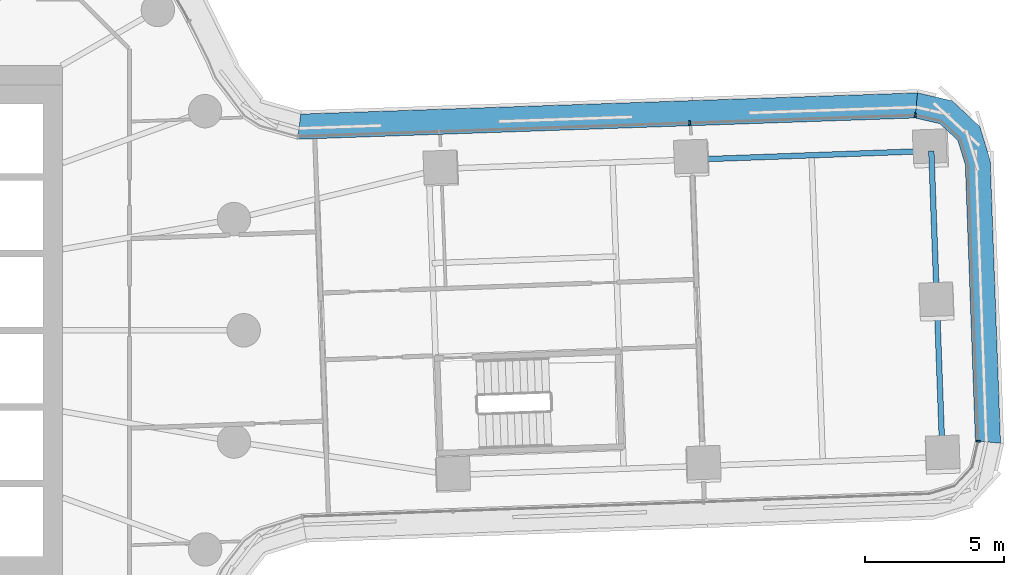
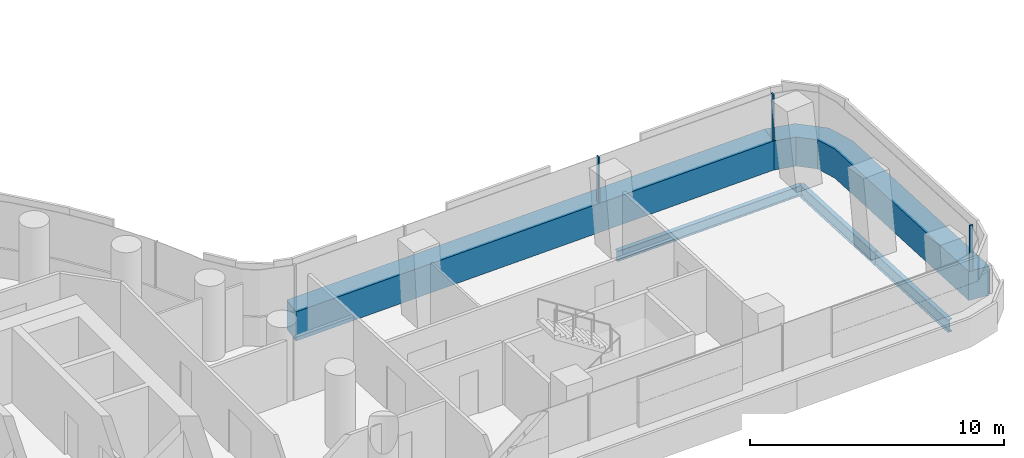
# One storey, part 12 of 31: 5 members, 3 beams, 2 elements without a shape of their own.
"""IFC4 building model written with IfcOpenShell, lengths in metres."""

from ifc_helpers import new_model, si_unit, direction, frame, origin, origin_2d, place, context, subcontext, project, spatial, polyline, rectangle, i_section, outline, extrude, material, layer, layer_set, material_profile, profile_set, type_object, element, aggregate, save


model = new_model("IFC4")

# Units and contexts
model_context = context("Model", 3, precision=1e-05, world=origin(), true_north=direction((0.0, 1.0)))
body_context = subcontext(model_context, "Body", "Model", "MODEL_VIEW")
ifc_project = project(units=[si_unit("LENGTHUNIT", "METRE"), si_unit("AREAUNIT", "SQUARE_METRE"), si_unit("VOLUMEUNIT", "CUBIC_METRE"), si_unit("PLANEANGLEUNIT", "RADIAN"), si_unit("MASSUNIT", "GRAM", prefix="KILO")], contexts=[model_context])

# Site, building, storey
site_placement = place(None, origin())
site = spatial("IfcSite", under=ifc_project, at=site_placement, CompositionType="ELEMENT")
building_placement = place(site_placement, origin())
building = spatial("IfcBuilding", under=site, at=building_placement, Name="Tamarind Cross Interchange Tower", CompositionType="ELEMENT")
storey_placement = place(building_placement, frame((0.0, 0.0, 41.5)))
storey = spatial("IfcBuildingStorey", under=building, at=storey_placement, Name="L08", CompositionType="ELEMENT", Elevation=41.5)

# Beams
ifc_material_1 = material(Name="Steel Q355B", Category="steel")
ifc_material_profile_1 = material_profile(ifc_material_1, i_section(OverallWidth=0.198974609375, OverallDepth=0.49609375, WebThickness=0.009033203125, FlangeThickness=0.013916015625, FilletRadius=0.012939453125, at=origin_2d()), Name="HN 496x199x9x14")
ifc_profile_set_1 = profile_set([ifc_material_profile_1], Name="Steel Q355B")
beam_type_1 = type_object("IfcBeamType", Name="Composite beam HN 496x199x9x14 Q355B", PredefinedType="BEAM", material=ifc_profile_set_1)
beam_placement = place(storey_placement, frame((47.684326171875, 6.440673828125, -0.387939453125), z_axis=(-0.999335782267, -0.036441655858, 0.0), x_axis=(0.036441655858, -0.999335782267, 0.0)))
element("IfcBeam", 1, at=beam_placement, inside=storey, type_object=beam_type_1, Name="Beam E-edgeep2", PredefinedType="BEAM", context=body_context, shape_type="SweptSolid", body=[
    extrude(i_section(OverallWidth=0.198974609375, OverallDepth=0.49609375, WebThickness=0.009033203125, FlangeThickness=0.013916015625, FilletRadius=0.012939453125, at=origin_2d()), origin(), (0.0, 0.0, 1.0), 8.60205078125),
])
ifc_material_profile_2 = material_profile(ifc_material_1, i_section(OverallWidth=0.199951171875, OverallDepth=0.60009765625, WebThickness=0.010986328125, FlangeThickness=0.01708984375, FilletRadius=0.012939453125, at=origin_2d()), Name="HN 600x200x11x17")
ifc_profile_set_2 = profile_set([ifc_material_profile_2], Name="Steel Q355B")
beam_type_2 = type_object("IfcBeamType", Name="Composite beam HN 600x200x11x17 Q355B", PredefinedType="BEAM", material=ifc_profile_set_2)
for number, where, z_axis, x_axis, name in (
    (2, (48.08544921875, -4.552001953125, -0.43994140625), (-0.036443593445, 0.999335711609, 0.0), (-0.999335711609, -0.036443593445, 0.0), "Beam E-tip0"),
    (3, (47.885009765625, 0.9443359375, -0.43994140625), (-0.036487923656, 0.999334093998, 0.0), (-0.999334093998, -0.036487923656, 0.0), "Beam E-tip1"),
):
    element("IfcBeam", number, at=place(storey_placement, frame(where, z_axis=z_axis, x_axis=x_axis)), inside=storey, type_object=beam_type_2, Name=name, PredefinedType="BEAM", context=body_context, shape_type="SweptSolid", body=[
        extrude(i_section(OverallWidth=0.199951171875, OverallDepth=0.60009765625, WebThickness=0.010986328125, FlangeThickness=0.01708984375, FilletRadius=0.012939453125, at=origin_2d()), origin(), (0.0, 0.0, 1.0), 5.5),
    ])

# Curtain wall, member
ifc_material_2 = material(Name="Aluminium 6063-T6", Category="aluminium")
ifc_layer = layer(ifc_material_2, 0.159912109375)
ifc_layer_set = layer_set([ifc_layer], Name="Aluminium 6063-T6")
curtain_wall_type = type_object("IfcCurtainWallType", Name="Office curtain wall, 9.0 m bays", PredefinedType="NOTDEFINED", material=ifc_layer_set)
curtain_wall_1_placement = place(storey_placement, origin())
curtain_wall_1 = element("IfcCurtainWall", 4, at=curtain_wall_1_placement, inside=storey, type_object=curtain_wall_type, Name="CWS-L08-08", PredefinedType="NOTDEFINED")
ifc_material_3 = material(Name="Aluminium and insulated spandrel panel", Category="aluminium")
member_type_1 = type_object("IfcMemberType", Name="Floor-edge blade transom", PredefinedType="USERDEFINED", material=ifc_material_3)
member_1_placement = place(storey_placement, origin())
member_1 = element("IfcMember", 5, at=member_1_placement, type_object=member_type_1, Name="CWT-L08-08", ObjectType="TRANSOM", PredefinedType="USERDEFINED", context=body_context, shape_type="SweptSolid", body=[
    extrude(outline(polyline([(49.264892578125, -3.968994140625), (48.9033203125, 5.9453125), (48.63427734375, 6.8203125), (47.99365234375, 7.415771484375), (47.10107421875, 7.620361328125), (47.187744140625, 8.52392578125), (48.429931640625, 8.2392578125), (49.423583984375, 7.3154296875), (49.79833984375, 6.0966796875), (50.168701171875, -4.0546875), (49.264892578125, -3.968994140625)])), origin(), (0.0, 0.0, 1.0), 1.39990234375),
])

curtain_wall_2_placement = place(storey_placement, origin())
curtain_wall_2 = element("IfcCurtainWall", 6, at=curtain_wall_2_placement, inside=storey, type_object=curtain_wall_type, Name="CWS-L08-09", PredefinedType="NOTDEFINED")
member_2_placement = place(storey_placement, origin())
member_2 = element("IfcMember", 7, at=member_2_placement, type_object=member_type_1, Name="CWT-L08-09", ObjectType="TRANSOM", PredefinedType="USERDEFINED", context=body_context, shape_type="SweptSolid", body=[
    extrude(outline(polyline([(47.10107421875, 7.620361328125), (24.9375, 6.85888671875), (25.045654296875, 7.762939453125), (47.187744140625, 8.52392578125), (47.10107421875, 7.620361328125)])), origin(), (0.0, 0.0, 1.0), 1.39990234375),
])

# Member
ifc_material_profile_3 = material_profile(ifc_material_2, rectangle(XDim=0.06005859375, YDim=0.159912109375, at=origin_2d()), Name="Mullion CW1")
ifc_profile_set_3 = profile_set([ifc_material_profile_3], Name="Aluminium 6063-T6")
member_type_2 = type_object("IfcMemberType", Name="Mullion CW1", PredefinedType="MULLION", material=ifc_profile_set_3)
member_3_placement = place(storey_placement, frame((49.365478515625, -3.978515625, 1.39990234375), z_axis=(0.0, 0.0, 1.0), x_axis=(0.094289020443, 0.995544866203, 0.0)))
member_3 = element("IfcMember", 8, at=member_3_placement, type_object=member_type_2, Name="CWM-L08-08-00", PredefinedType="MULLION", context=body_context, shape_type="SweptSolid", body=[
    extrude(rectangle(XDim=0.06005859375, YDim=0.159912109375, at=origin_2d()), origin(), (0.0, 0.0, 1.0), 2.210205078125),
])

aggregate(curtain_wall_1, [member_3, member_1])

member_4_placement = place(storey_placement, frame((47.11083984375, 7.720703125, 1.39990234375), z_axis=(0.0, 0.0, 1.0), x_axis=(-0.995444314759, 0.095344723058, 0.0)))
member_4 = element("IfcMember", 9, at=member_4_placement, type_object=member_type_2, Name="CWM-L08-09-00", PredefinedType="MULLION", context=body_context, shape_type="SweptSolid", body=[
    extrude(rectangle(XDim=0.06005859375, YDim=0.159912109375, at=origin_2d()), origin(), (0.0, 0.0, 1.0), 2.210205078125),
])

member_5_placement = place(storey_placement, frame((39.01171875, 7.4423828125, 1.39990234375), z_axis=(0.0, 0.0, 1.0), x_axis=(-0.999410116016, -0.034342684894, 0.0)))
member_5 = element("IfcMember", 10, at=member_5_placement, type_object=member_type_2, Name="CWM-L08-09-01", PredefinedType="MULLION", context=body_context, shape_type="SweptSolid", body=[
    extrude(rectangle(XDim=0.06005859375, YDim=0.159912109375, at=origin_2d()), origin(), (0.0, 0.0, 1.0), 2.210205078125),
])

aggregate(curtain_wall_2, [member_4, member_5, member_2])

save(model, "model.ifc")
